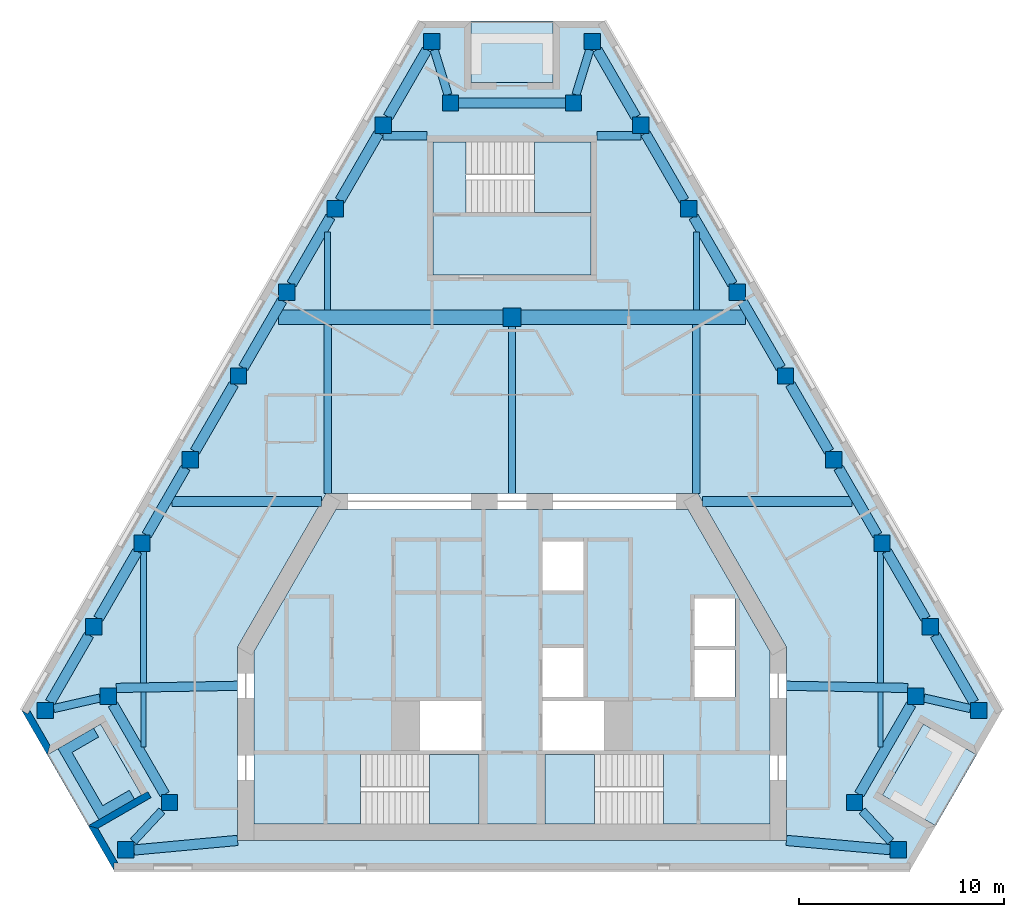
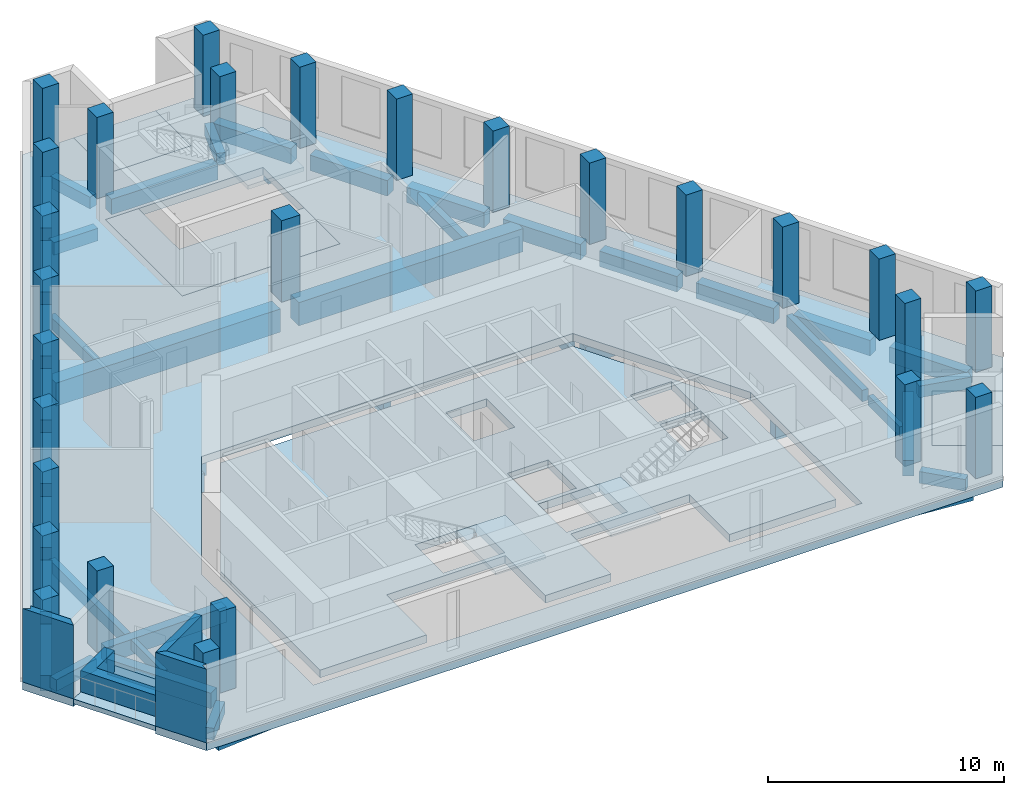
# One storey, part 1 of 8: 44 beams, 27 columns, 9 slabs, 4 walls, 3 elements without a shape of their own.
"""IFC4 building model written with IfcOpenShell, lengths in metres."""

from ifc_helpers import new_model, si_unit, direction, frame, origin, origin_2d, place, context, subcontext, project, spatial, polyline, rectangle, outline, extrude, material, layer, layer_set, material_profile, profile_set, type_object, element, aggregate, save


model = new_model("IFC4")

# Units and contexts
model_context = context("Model", 3, precision=1e-05, world=origin(), true_north=direction((0.0, 1.0)))
body_context = subcontext(model_context, "Body", "Model", "MODEL_VIEW")
ifc_project = project(units=[si_unit("LENGTHUNIT", "METRE"), si_unit("AREAUNIT", "SQUARE_METRE"), si_unit("VOLUMEUNIT", "CUBIC_METRE"), si_unit("PLANEANGLEUNIT", "RADIAN"), si_unit("MASSUNIT", "GRAM", prefix="KILO")], contexts=[model_context])

# Site, building, storey
site_placement = place(None, origin())
site = spatial("IfcSite", under=ifc_project, at=site_placement, CompositionType="ELEMENT")
building_placement = place(site_placement, origin())
building = spatial("IfcBuilding", under=site, at=building_placement, Name="Fogline Exchange Tower", CompositionType="ELEMENT")
storey_placement = place(building_placement, frame((0.0, 0.0, 335.10009765625)))
storey = spatial("IfcBuildingStorey", under=building, at=storey_placement, Name="L76", CompositionType="ELEMENT", Elevation=335.10009765625)

# Columns
ifc_material_1 = material(Name="Concrete C60", Category="concrete")
ifc_material_profile_1 = material_profile(ifc_material_1, rectangle(XDim=0.89990234375, YDim=0.89990234375, at=origin_2d()), Name="RC 900x900")
ifc_profile_set_1 = profile_set([ifc_material_profile_1], Name="Concrete C60")
column_type_1 = type_object("IfcColumnType", Name="C06", PredefinedType="COLUMN", material=ifc_profile_set_1)
column_placement = place(storey_placement, frame((0.0, 27.0, 0.0), z_axis=(0.0, 0.0, 1.0), x_axis=(1.0, 0.0, 0.0)))
element("IfcColumn", 1, at=column_placement, inside=storey, type_object=column_type_1, Name="IC-0-27", PredefinedType="COLUMN", context=body_context, shape_type="SweptSolid", body=[
    extrude(rectangle(XDim=0.89990234375, YDim=0.89990234375, at=origin_2d()), origin(), (0.0, 0.0, 1.0), 4.199951171875),
])
ifc_material_profile_2 = material_profile(ifc_material_1, rectangle(XDim=0.800048828125, YDim=0.800048828125, at=origin_2d()), Name="RC 800x800")
ifc_profile_set_2 = profile_set([ifc_material_profile_2], Name="Concrete C60")
column_type_2 = type_object("IfcColumnType", Name="C07", PredefinedType="COLUMN", material=ifc_profile_set_2)
for number, where, z_axis, x_axis, name in (
    (2, (-22.7802734375, 7.794189453125, 0.0), (0.0, 0.0, 1.0), (1.0, 0.0, 0.0), "SW-a"),
    (3, (-19.720947265625, 8.4951171875, 0.0), (0.0, 0.0, 1.0), (1.0, 0.0, 0.0), "SW-p4"),
    (4, (-16.720947265625, 3.299072265625, 0.0), (0.0, 0.0, 1.0), (1.0, 0.0, 0.0), "SW-p3"),
    (5, (-18.857666015625, 1.0, 0.0), (0.0, 0.0, 1.0), (1.0, 0.0, 0.0), "SW-b"),
    (6, (18.857666015625, 1.0, 0.0), (0.0, 0.0, 1.0), (1.0, 0.0, 0.0), "SE-a"),
    (7, (16.720947265625, 3.299072265625, 0.0), (0.0, 0.0, 1.0), (1.0, 0.0, 0.0), "SE-p4"),
    (8, (19.720947265625, 8.4951171875, 0.0), (0.0, 0.0, 1.0), (1.0, 0.0, 0.0), "SE-p3"),
    (9, (22.7802734375, 7.794189453125, 0.0), (0.0, 0.0, 1.0), (1.0, 0.0, 0.0), "SE-b"),
    (10, (20.423095703125, 11.876953125, 0.0), (0.0, 0.0, 1.0), (1.0, 0.0, 0.0), "E1"),
    (11, (18.06591796875, 15.959716796875, 0.0), (0.0, 0.0, 1.0), (1.0, 0.0, 0.0), "E2"),
    (12, (15.708740234375, 20.04248046875, 0.0), (0.0, 0.0, 1.0), (1.0, 0.0, 0.0), "E3"),
    (13, (13.3515625, 24.12548828125, 0.0), (0.0, 0.0, 1.0), (1.0, 0.0, 0.0), "E4"),
    (14, (10.994384765625, 28.208251953125, 0.0), (0.0, 0.0, 1.0), (1.0, 0.0, 0.0), "E5"),
    (15, (8.63720703125, 32.291015625, 0.0), (0.0, 0.0, 1.0), (1.0, 0.0, 0.0), "E6"),
    (16, (6.27978515625, 36.373779296875, 0.0), (0.0, 0.0, 1.0), (1.0, 0.0, 0.0), "E7"),
    (17, (3.922607421875, 40.456787109375, 0.0), (0.0, 0.0, 1.0), (1.0, 0.0, 0.0), "N-a"),
    (18, (3.0, 37.456787109375, 0.0), (0.0, 0.0, 1.0), (1.0, 0.0, 0.0), "N-p4"),
    (19, (-3.0, 37.456787109375, 0.0), (0.0, 0.0, 1.0), (1.0, 0.0, 0.0), "N-p3"),
    (20, (-3.922607421875, 40.456787109375, 0.0), (0.0, 0.0, 1.0), (1.0, 0.0, 0.0), "N-b"),
    (21, (-6.27978515625, 36.373779296875, 0.0), (0.0, 0.0, 1.0), (1.0, 0.0, 0.0), "W1"),
    (22, (-8.63720703125, 32.291015625, 0.0), (0.0, 0.0, 1.0), (1.0, 0.0, 0.0), "W2"),
    (23, (-10.994384765625, 28.208251953125, 0.0), (0.0, 0.0, 1.0), (1.0, 0.0, 0.0), "W3"),
    (24, (-13.3515625, 24.12548828125, 0.0), (0.0, 0.0, 1.0), (1.0, 0.0, 0.0), "W4"),
    (25, (-15.708740234375, 20.04248046875, 0.0), (0.0, 0.0, 1.0), (1.0, 0.0, 0.0), "W5"),
    (26, (-18.06591796875, 15.959716796875, 0.0), (0.0, 0.0, 1.0), (1.0, 0.0, 0.0), "W6"),
    (27, (-20.423095703125, 11.876953125, 0.0), (0.0, 0.0, 1.0), (1.0, 0.0, 0.0), "W7"),
):
    element("IfcColumn", number, at=place(storey_placement, frame(where, z_axis=z_axis, x_axis=x_axis)), inside=storey, type_object=column_type_2, Name=name, PredefinedType="COLUMN", context=body_context, shape_type="SweptSolid", body=[
        extrude(rectangle(XDim=0.800048828125, YDim=0.800048828125, at=origin_2d()), origin(), (0.0, 0.0, 1.0), 4.199951171875),
    ])

# Beams
ifc_material_2 = material(Name="Concrete C40", Category="concrete")
ifc_material_profile_3 = material_profile(ifc_material_2, rectangle(XDim=0.300048828125, YDim=0.60009765625, at=origin_2d()), Name="RC 300x600")
ifc_profile_set_3 = profile_set([ifc_material_profile_3], Name="Concrete C40")
beam_type_1 = type_object("IfcBeamType", Name="B06", PredefinedType="BEAM", material=ifc_profile_set_3)
beam_1_placement = place(storey_placement, frame((-18.0, 9.1435546875, -0.7001953125), z_axis=(0.0, 1.0, 0.0), x_axis=(-1.0, 0.0, 0.0)))
element("IfcBeam", 28, at=beam_1_placement, inside=storey, type_object=beam_type_1, Name="SB002", PredefinedType="BEAM", context=body_context, shape_type="SweptSolid", body=[
    extrude(rectangle(XDim=0.300048828125, YDim=0.60009765625, at=origin_2d()), origin(), (0.0, 0.0, 1.0), 6.416259765625),
])
for number, where, z_axis, x_axis, name in (
    (29, (-9.0, 27.35009765625, -0.7001953125), (0.0, 1.0, 0.0), (-1.0, 0.0, 0.0), "SB004"),
    (30, (9.0, 27.35009765625, -0.7001953125), (0.0, 1.0, 0.0), (-1.0, 0.0, 0.0), "SB007"),
):
    element("IfcBeam", number, at=place(storey_placement, frame(where, z_axis=z_axis, x_axis=x_axis)), inside=storey, type_object=beam_type_1, Name=name, PredefinedType="BEAM", context=body_context, shape_type="SweptSolid", body=[
        extrude(rectangle(XDim=0.300048828125, YDim=0.60009765625, at=origin_2d()), origin(), (0.0, 0.0, 1.0), 3.812255859375),
    ])
beam_2_placement = place(storey_placement, frame((18.0, 9.1435546875, -0.7001953125), z_axis=(0.0, 1.0, 0.0), x_axis=(-1.0, 0.0, 0.0)))
element("IfcBeam", 31, at=beam_2_placement, inside=storey, type_object=beam_type_1, Name="SB009", PredefinedType="BEAM", context=body_context, shape_type="SweptSolid", body=[
    extrude(rectangle(XDim=0.300048828125, YDim=0.60009765625, at=origin_2d()), origin(), (0.0, 0.0, 1.0), 6.416259765625),
])
ifc_material_profile_4 = material_profile(ifc_material_2, rectangle(XDim=0.25, YDim=0.5, at=origin_2d()), Name="RC 250x500")
ifc_profile_set_4 = profile_set([ifc_material_profile_4], Name="Concrete C40")
beam_type_2 = type_object("IfcBeamType", Name="B08", PredefinedType="BEAM", material=ifc_profile_set_4)
for number, where, z_axis, x_axis, name in (
    (32, (-18.0, 6.014404296875, -0.650146484375), (0.0, 1.0, 0.0), (-1.0, 0.0, 0.0), "SB001"),
    (33, (18.0, 6.014404296875, -0.650146484375), (0.0, 1.0, 0.0), (-1.0, 0.0, 0.0), "SB008"),
):
    element("IfcBeam", number, at=place(storey_placement, frame(where, z_axis=z_axis, x_axis=x_axis)), inside=storey, type_object=beam_type_2, Name=name, PredefinedType="BEAM", context=body_context, shape_type="SweptSolid", body=[
        extrude(rectangle(XDim=0.25, YDim=0.5, at=origin_2d()), origin(), (0.0, 0.0, 1.0), 2.67919921875),
    ])
ifc_material_profile_5 = material_profile(ifc_material_2, rectangle(XDim=0.5, YDim=0.800048828125, at=origin_2d()), Name="RC 500x800")
ifc_profile_set_5 = profile_set([ifc_material_profile_5], Name="Concrete C40")
beam_type_3 = type_object("IfcBeamType", Name="B10", PredefinedType="BEAM", material=ifc_profile_set_5)
beam_3_placement = place(storey_placement, frame((-19.489990234375, 8.09521484375, -0.800048828125), z_axis=(0.499987508774, -0.866032615477, 0.0), x_axis=(0.866032615477, 0.499987508774, 0.0)))
element("IfcBeam", 34, at=beam_3_placement, inside=storey, type_object=beam_type_3, Name="RB002", PredefinedType="BEAM", context=body_context, shape_type="SweptSolid", body=[
    extrude(rectangle(XDim=0.5, YDim=0.800048828125, at=origin_2d()), origin(), (0.0, 0.0, 1.0), 5.076416015625),
])
beam_4_placement = place(storey_placement, frame((-18.457763671875, 0.981689453125, -0.800048828125), z_axis=(0.995741736268, 0.092186737952, 0.0), x_axis=(-0.092186737952, 0.995741736268, 0.0)))
element("IfcBeam", 35, at=beam_4_placement, inside=storey, type_object=beam_type_3, Name="RB004", PredefinedType="BEAM", context=body_context, shape_type="SweptSolid", body=[
    extrude(rectangle(XDim=0.5, YDim=0.800048828125, at=origin_2d()), origin(), (0.0, 0.0, 1.0), 5.07958984375),
])
beam_5_placement = place(storey_placement, frame((13.39990234375, 1.449951171875, -0.800048828125), z_axis=(0.996066324908, -0.088610814153, 0.0), x_axis=(0.088610814153, 0.996066324908, 0.0)))
element("IfcBeam", 36, at=beam_5_placement, inside=storey, type_object=beam_type_3, Name="RB005", PredefinedType="BEAM", context=body_context, shape_type="SweptSolid", body=[
    extrude(rectangle(XDim=0.5, YDim=0.800048828125, at=origin_2d()), origin(), (0.0, 0.0, 1.0), 5.077880859375),
])
beam_6_placement = place(storey_placement, frame((16.951904296875, 3.698974609375, -0.800048828125), z_axis=(0.499987508774, 0.866032615477, 0.0), x_axis=(-0.866032615477, 0.499987508774, 0.0)))
element("IfcBeam", 37, at=beam_6_placement, inside=storey, type_object=beam_type_3, Name="RB007", PredefinedType="BEAM", context=body_context, shape_type="SweptSolid", body=[
    extrude(rectangle(XDim=0.5, YDim=0.800048828125, at=origin_2d()), origin(), (0.0, 0.0, 1.0), 5.076416015625),
])
beam_7_placement = place(storey_placement, frame((22.54931640625, 8.194091796875, -0.800048828125), z_axis=(-0.499969613651, 0.86604294664, 0.0), x_axis=(-0.86604294664, -0.499969613651, 0.0)))
element("IfcBeam", 38, at=beam_7_placement, inside=storey, type_object=beam_type_3, Name="RB009", PredefinedType="BEAM", context=body_context, shape_type="SweptSolid", body=[
    extrude(rectangle(XDim=0.5, YDim=0.800048828125, at=origin_2d()), origin(), (0.0, 0.0, 1.0), 3.790771484375),
])
for number, where, z_axis, x_axis, name in (
    (39, (20.192138671875, 12.277099609375, -0.800048828125), (-0.499997501644, 0.866026846206, 0.0), (-0.866026846206, -0.499997501644, 0.0), "RB010"),
    (40, (17.8349609375, 16.35986328125, -0.800048828125), (-0.499997501644, 0.866026846206, 0.0), (-0.866026846206, -0.499997501644, 0.0), "RB011"),
    (41, (15.477783203125, 20.442626953125, -0.800048828125), (-0.499997501644, 0.866026846206, 0.0), (-0.866026846206, -0.499997501644, 0.0), "RB012"),
):
    element("IfcBeam", number, at=place(storey_placement, frame(where, z_axis=z_axis, x_axis=x_axis)), inside=storey, type_object=beam_type_3, Name=name, PredefinedType="BEAM", context=body_context, shape_type="SweptSolid", body=[
        extrude(rectangle(XDim=0.5, YDim=0.800048828125, at=origin_2d()), origin(), (0.0, 0.0, 1.0), 3.79052734375),
    ])
for number, where, z_axis, x_axis, name in (
    (42, (13.12060546875, 24.525390625, -0.800048828125), (-0.500045805297, 0.865998956469, 0.0), (-0.865998956469, -0.500045805297, 0.0), "RB013"),
    (43, (10.76318359375, 28.608154296875, -0.800048828125), (-0.499969613651, 0.86604294664, 0.0), (-0.86604294664, -0.499969613651, 0.0), "RB014"),
    (44, (8.406005859375, 32.69091796875, -0.800048828125), (-0.499969613651, 0.86604294664, 0.0), (-0.86604294664, -0.499969613651, 0.0), "RB015"),
    (45, (6.048828125, 36.773681640625, -0.800048828125), (-0.499969613651, 0.86604294664, 0.0), (-0.86604294664, -0.499969613651, 0.0), "RB016"),
):
    element("IfcBeam", number, at=place(storey_placement, frame(where, z_axis=z_axis, x_axis=x_axis)), inside=storey, type_object=beam_type_3, Name=name, PredefinedType="BEAM", context=body_context, shape_type="SweptSolid", body=[
        extrude(rectangle(XDim=0.5, YDim=0.800048828125, at=origin_2d()), origin(), (0.0, 0.0, 1.0), 3.790771484375),
    ])
beam_8_placement = place(storey_placement, frame((2.60009765625, 37.456787109375, -0.800048828125), z_axis=(-1.0, 0.0, 0.0), x_axis=(0.0, -1.0, 0.0)))
element("IfcBeam", 46, at=beam_8_placement, inside=storey, type_object=beam_type_3, Name="RB018", PredefinedType="BEAM", context=body_context, shape_type="SweptSolid", body=[
    extrude(rectangle(XDim=0.5, YDim=0.800048828125, at=origin_2d()), origin(), (0.0, 0.0, 1.0), 5.2001953125),
])
for number, where, z_axis, x_axis, name in (
    (47, (-4.153564453125, 40.056640625, -0.800048828125), (-0.499969613651, -0.86604294664, 0.0), (0.86604294664, -0.499969613651, 0.0), "RB020"),
    (48, (-6.5107421875, 35.973876953125, -0.800048828125), (-0.499969613651, -0.86604294664, 0.0), (0.86604294664, -0.499969613651, 0.0), "RB021"),
    (49, (-8.867919921875, 31.89111328125, -0.800048828125), (-0.499969613651, -0.86604294664, 0.0), (0.86604294664, -0.499969613651, 0.0), "RB022"),
    (50, (-11.22509765625, 27.80810546875, -0.800048828125), (-0.500045805297, -0.865998956469, 0.0), (0.865998956469, -0.500045805297, 0.0), "RB023"),
):
    element("IfcBeam", number, at=place(storey_placement, frame(where, z_axis=z_axis, x_axis=x_axis)), inside=storey, type_object=beam_type_3, Name=name, PredefinedType="BEAM", context=body_context, shape_type="SweptSolid", body=[
        extrude(rectangle(XDim=0.5, YDim=0.800048828125, at=origin_2d()), origin(), (0.0, 0.0, 1.0), 3.790771484375),
    ])
for number, where, z_axis, x_axis, name in (
    (51, (-13.58251953125, 23.725341796875, -0.800048828125), (-0.499997501644, -0.866026846206, 0.0), (0.866026846206, -0.499997501644, 0.0), "RB024"),
    (52, (-15.939697265625, 19.642578125, -0.800048828125), (-0.499997501644, -0.866026846206, 0.0), (0.866026846206, -0.499997501644, 0.0), "RB025"),
    (53, (-18.296875, 15.559814453125, -0.800048828125), (-0.499997501644, -0.866026846206, 0.0), (0.866026846206, -0.499997501644, 0.0), "RB026"),
):
    element("IfcBeam", number, at=place(storey_placement, frame(where, z_axis=z_axis, x_axis=x_axis)), inside=storey, type_object=beam_type_3, Name=name, PredefinedType="BEAM", context=body_context, shape_type="SweptSolid", body=[
        extrude(rectangle(XDim=0.5, YDim=0.800048828125, at=origin_2d()), origin(), (0.0, 0.0, 1.0), 3.79052734375),
    ])
beam_9_placement = place(storey_placement, frame((-20.654052734375, 11.47705078125, -0.800048828125), z_axis=(-0.499969613651, -0.86604294664, 0.0), x_axis=(0.86604294664, -0.499969613651, 0.0)))
element("IfcBeam", 54, at=beam_9_placement, inside=storey, type_object=beam_type_3, Name="RB027", PredefinedType="BEAM", context=body_context, shape_type="SweptSolid", body=[
    extrude(rectangle(XDim=0.5, YDim=0.800048828125, at=origin_2d()), origin(), (0.0, 0.0, 1.0), 3.790771484375),
])
ifc_material_profile_6 = material_profile(ifc_material_2, rectangle(XDim=0.39990234375, YDim=0.60009765625, at=origin_2d()), Name="RC 400x600")
ifc_profile_set_6 = profile_set([ifc_material_profile_6], Name="Concrete C40")
beam_type_4 = type_object("IfcBeamType", Name="B11", PredefinedType="BEAM", material=ifc_profile_set_6)
beam_10_placement = place(storey_placement, frame((-22.38037109375, 7.885986328125, -0.7001953125), z_axis=(0.974753812703, 0.223282342834, 0.0), x_axis=(-0.223282342834, 0.974753812703, 0.0)))
element("IfcBeam", 55, at=beam_10_placement, inside=storey, type_object=beam_type_4, Name="RB001", PredefinedType="BEAM", context=body_context, shape_type="SweptSolid", body=[
    extrude(rectangle(XDim=0.39990234375, YDim=0.60009765625, at=origin_2d()), origin(), (0.0, 0.0, 1.0), 2.318115234375),
])
for number, where, z_axis, x_axis, name in (
    (56, (-17.0927734375, 2.89892578125, -0.7001953125), (-0.680743909802, -0.732521487239, 0.0), (0.732521487239, -0.680743909802, 0.0), "RB003"),
    (57, (18.48583984375, 1.39990234375, -0.7001953125), (-0.680743909802, 0.732521487239, 0.0), (-0.732521487239, -0.680743909802, 0.0), "RB006"),
):
    element("IfcBeam", number, at=place(storey_placement, frame(where, z_axis=z_axis, x_axis=x_axis)), inside=storey, type_object=beam_type_4, Name=name, PredefinedType="BEAM", context=body_context, shape_type="SweptSolid", body=[
        extrude(rectangle(XDim=0.39990234375, YDim=0.60009765625, at=origin_2d()), origin(), (0.0, 0.0, 1.0), 2.04638671875),
    ])
beam_11_placement = place(storey_placement, frame((20.120849609375, 8.403564453125, -0.7001953125), z_axis=(0.974753812703, -0.223282342834, 0.0), x_axis=(0.223282342834, 0.974753812703, 0.0)))
element("IfcBeam", 58, at=beam_11_placement, inside=storey, type_object=beam_type_4, Name="RB008", PredefinedType="BEAM", context=body_context, shape_type="SweptSolid", body=[
    extrude(rectangle(XDim=0.39990234375, YDim=0.60009765625, at=origin_2d()), origin(), (0.0, 0.0, 1.0), 2.318115234375),
])
for number, where, z_axis, x_axis, name in (
    (59, (3.799560546875, 40.056640625, -0.7001953125), (-0.293929314998, -0.955827158949, 0.0), (0.955827158949, -0.293929314998, 0.0), "RB017"),
    (60, (-3.123046875, 37.856689453125, -0.7001953125), (-0.293929314998, 0.955827158949, 0.0), (-0.955827158949, -0.293929314998, 0.0), "RB019"),
):
    element("IfcBeam", number, at=place(storey_placement, frame(where, z_axis=z_axis, x_axis=x_axis)), inside=storey, type_object=beam_type_4, Name=name, PredefinedType="BEAM", context=body_context, shape_type="SweptSolid", body=[
        extrude(rectangle(XDim=0.39990234375, YDim=0.60009765625, at=origin_2d()), origin(), (0.0, 0.0, 1.0), 2.301513671875),
    ])
ifc_material_profile_7 = material_profile(ifc_material_2, rectangle(XDim=0.39990234375, YDim=0.64990234375, at=origin_2d()), Name="RC 400x650")
ifc_profile_set_7 = profile_set([ifc_material_profile_7], Name="Concrete C40")
beam_type_5 = type_object("IfcBeamType", Name="B13", PredefinedType="BEAM", material=ifc_profile_set_7)
for number, where, z_axis, x_axis, name in (
    (61, (-6.308349609375, 35.85693359375, -0.72509765625), (1.0, 0.0, 0.0), (0.0, 1.0, 0.0), "GB007"),
    (62, (4.14990234375, 35.85693359375, -0.72509765625), (1.0, 0.0, 0.0), (0.0, 1.0, 0.0), "GB008"),
):
    element("IfcBeam", number, at=place(storey_placement, frame(where, z_axis=z_axis, x_axis=x_axis)), inside=storey, type_object=beam_type_5, Name=name, PredefinedType="BEAM", context=body_context, shape_type="SweptSolid", body=[
        extrude(rectangle(XDim=0.39990234375, YDim=0.64990234375, at=origin_2d()), origin(), (0.0, 0.0, 1.0), 2.158447265625),
    ])
ifc_material_profile_8 = material_profile(ifc_material_2, rectangle(XDim=0.5, YDim=0.949951171875, at=origin_2d()), Name="RC 500x950")
ifc_profile_set_8 = profile_set([ifc_material_profile_8], Name="Concrete C40")
beam_type_6 = type_object("IfcBeamType", Name="B14", PredefinedType="BEAM", material=ifc_profile_set_8)
for number, where, z_axis, x_axis, name in (
    (63, (-16.599365234375, 18.0, -0.875), (1.0, 0.0, 0.0), (0.0, 1.0, 0.0), "GB003"),
    (64, (9.296142578125, 18.0, -0.875), (1.0, 0.0, 0.0), (0.0, 1.0, 0.0), "GB004"),
):
    element("IfcBeam", number, at=place(storey_placement, frame(where, z_axis=z_axis, x_axis=x_axis)), inside=storey, type_object=beam_type_6, Name=name, PredefinedType="BEAM", context=body_context, shape_type="SweptSolid", body=[
        extrude(rectangle(XDim=0.5, YDim=0.949951171875, at=origin_2d()), origin(), (0.0, 0.0, 1.0), 7.30322265625),
    ])
ifc_material_profile_9 = material_profile(ifc_material_2, rectangle(XDim=0.35009765625, YDim=0.64990234375, at=origin_2d()), Name="RC 350x650")
ifc_profile_set_9 = profile_set([ifc_material_profile_9], Name="Concrete C40")
beam_type_7 = type_object("IfcBeamType", Name="B16", PredefinedType="BEAM", material=ifc_profile_set_9)
beam_12_placement = place(storey_placement, frame((-9.0, 18.39990234375, -0.72509765625), z_axis=(0.0, 1.0, 0.0), x_axis=(-1.0, 0.0, 0.0)))
element("IfcBeam", 65, at=beam_12_placement, inside=storey, type_object=beam_type_7, Name="SB003", PredefinedType="BEAM", context=body_context, shape_type="SweptSolid", body=[
    extrude(rectangle(XDim=0.35009765625, YDim=0.64990234375, at=origin_2d()), origin(), (0.0, 0.0, 1.0), 8.25),
])
beam_13_placement = place(storey_placement, frame((0.0, 18.39990234375, -0.72509765625), z_axis=(0.0, 1.0, 0.0), x_axis=(-1.0, 0.0, 0.0)))
element("IfcBeam", 66, at=beam_13_placement, inside=storey, type_object=beam_type_7, Name="SB005", PredefinedType="BEAM", context=body_context, shape_type="SweptSolid", body=[
    extrude(rectangle(XDim=0.35009765625, YDim=0.64990234375, at=origin_2d()), origin(), (0.0, 0.0, 1.0), 8.150146484375),
])
beam_14_placement = place(storey_placement, frame((9.0, 18.39990234375, -0.72509765625), z_axis=(0.0, 1.0, 0.0), x_axis=(-1.0, 0.0, 0.0)))
element("IfcBeam", 67, at=beam_14_placement, inside=storey, type_object=beam_type_7, Name="SB006", PredefinedType="BEAM", context=body_context, shape_type="SweptSolid", body=[
    extrude(rectangle(XDim=0.35009765625, YDim=0.64990234375, at=origin_2d()), origin(), (0.0, 0.0, 1.0), 8.25),
])
ifc_material_profile_10 = material_profile(ifc_material_2, rectangle(XDim=0.699951171875, YDim=1.199951171875, at=origin_2d()), Name="RC 700x1200")
ifc_profile_set_10 = profile_set([ifc_material_profile_10], Name="Concrete C40")
beam_type_8 = type_object("IfcBeamType", Name="B17", PredefinedType="BEAM", material=ifc_profile_set_10)
for number, where, z_axis, x_axis, name in (
    (68, (-11.4033203125, 27.0, -1.0), (1.0, 0.0, 0.0), (0.0, 1.0, 0.0), "GB005"),
    (69, (0.449951171875, 27.0, -1.0), (1.0, 0.0, 0.0), (0.0, 1.0, 0.0), "GB006"),
):
    element("IfcBeam", number, at=place(storey_placement, frame(where, z_axis=z_axis, x_axis=x_axis)), inside=storey, type_object=beam_type_8, Name=name, PredefinedType="BEAM", context=body_context, shape_type="SweptSolid", body=[
        extrude(rectangle(XDim=0.699951171875, YDim=1.199951171875, at=origin_2d()), origin(), (0.0, 0.0, 1.0), 10.953369140625),
    ])
ifc_material_profile_11 = material_profile(ifc_material_2, rectangle(XDim=0.449951171875, YDim=0.800048828125, at=origin_2d()), Name="RC 450x800")
ifc_profile_set_11 = profile_set([ifc_material_profile_11], Name="Concrete C40")
beam_type_9 = type_object("IfcBeamType", Name="B18", PredefinedType="BEAM", material=ifc_profile_set_11)
for number, where, z_axis, x_axis, name in (
    (70, (-19.32080078125, 8.895263671875, -0.800048828125), (0.9998435817, 0.017686495817, 0.0), (-0.017686495817, 0.9998435817, 0.0), "GB001"),
    (71, (13.39990234375, 9.0, -0.800048828125), (0.9998435817, -0.017686495817, 0.0), (0.017686495817, 0.9998435817, 0.0), "GB002"),
):
    element("IfcBeam", number, at=place(storey_placement, frame(where, z_axis=z_axis, x_axis=x_axis)), inside=storey, type_object=beam_type_9, Name=name, PredefinedType="BEAM", context=body_context, shape_type="SweptSolid", body=[
        extrude(rectangle(XDim=0.449951171875, YDim=0.800048828125, at=origin_2d()), origin(), (0.0, 0.0, 1.0), 5.921875),
    ])

# Slabs
ifc_layer_1 = layer(ifc_material_2, 0.25)
ifc_layer_set_1 = layer_set([ifc_layer_1], Name="DK1")
slab_type_1 = type_object("IfcSlabType", Name="DK1", PredefinedType="FLOOR", material=ifc_layer_set_1)
slab_1_placement = place(storey_placement, frame((0.0, 0.0, -0.25)))
element("IfcSlab", 72, at=slab_1_placement, inside=storey, type_object=slab_type_1, Name="Balcony L76 SW", PredefinedType="FLOOR", context=body_context, shape_type="SweptSolid", body=[
    extrude(outline(polyline([(-22.68505859375, 5.629150390625), (-20.68505859375, 2.1650390625), (-18.0869140625, 3.6650390625), (-20.0869140625, 7.129150390625), (-22.68505859375, 5.629150390625)])), origin(), (0.0, 0.0, 1.0), 0.25),
])
slab_2_placement = place(storey_placement, frame((0.0, 0.0, -0.25)))
element("IfcSlab", 73, at=slab_2_placement, inside=storey, type_object=slab_type_1, Name="Balcony L76 SE", PredefinedType="FLOOR", context=body_context, shape_type="SweptSolid", body=[
    extrude(outline(polyline([(20.68505859375, 2.1650390625), (22.68505859375, 5.629150390625), (20.0869140625, 7.129150390625), (18.0869140625, 3.6650390625), (20.68505859375, 2.1650390625)])), origin(), (0.0, 0.0, 1.0), 0.25),
])
slab_3_placement = place(storey_placement, frame((0.0, 0.0, -0.25)))
element("IfcSlab", 74, at=slab_3_placement, inside=storey, type_object=slab_type_1, Name="Balcony L76 N", PredefinedType="FLOOR", context=body_context, shape_type="SweptSolid", body=[
    extrude(outline(polyline([(2.0, 41.456787109375), (-2.0, 41.456787109375), (-2.0, 38.456787109375), (2.0, 38.456787109375), (2.0, 41.456787109375)])), origin(), (0.0, 0.0, 1.0), 0.25),
])
ifc_layer_2 = layer(ifc_material_2, 0.39990234375)
ifc_layer_set_2 = layer_set([ifc_layer_2], Name="S03")
slab_type_2 = type_object("IfcSlabType", Name="S03", PredefinedType="FLOOR", material=ifc_layer_set_2)
slab_4_placement = place(storey_placement, frame((0.0, 0.0, -0.400146484375)))
element("IfcSlab", 75, at=slab_4_placement, inside=storey, type_object=slab_type_2, Name="SLAB L76", PredefinedType="FLOOR", context=body_context, shape_type="SweptSolid", body=[
    extrude(outline(polyline([(-2.0, 41.456787109375), (-4.5, 41.456787109375), (-23.93505859375, 7.794189453125), (-22.68505859375, 5.629150390625), (-20.0869140625, 7.129150390625), (-18.0869140625, 3.6650390625), (-20.68505859375, 2.1650390625), (-19.43505859375, 0.0), (19.43505859375, 0.0), (20.68505859375, 2.1650390625), (18.0869140625, 3.6650390625), (20.0869140625, 7.129150390625), (22.68505859375, 5.629150390625), (23.93505859375, 7.794189453125), (4.5, 41.456787109375), (2.0, 41.456787109375), (2.0, 38.456787109375), (-2.0, 38.456787109375), (-2.0, 41.456787109375)]), holes=[polyline([(13.39990234375, 10.891845703125), (13.39990234375, 1.449951171875), (-13.39990234375, 1.449951171875), (-13.39990234375, 10.891845703125), (-9.065185546875, 18.39990234375), (9.065185546875, 18.39990234375), (13.39990234375, 10.891845703125)]), polyline([(3.85009765625, 35.556884765625), (3.85009765625, 29.056884765625), (-3.85009765625, 29.056884765625), (-3.85009765625, 35.556884765625), (3.85009765625, 35.556884765625)])]), origin(), (0.0, 0.0, 1.0), 0.400146484375),
])
slab_5_placement = place(storey_placement, frame((0.0, 0.0, -0.400146484375)))
element("IfcSlab", 76, at=slab_5_placement, inside=storey, type_object=slab_type_2, Name="Core floor slab", PredefinedType="FLOOR", context=body_context, shape_type="SweptSolid", body=[
    extrude(outline(polyline([(-12.60009765625, 2.25), (-12.60009765625, 10.677490234375), (-8.603271484375, 17.60009765625), (8.603271484375, 17.60009765625), (12.60009765625, 10.677490234375), (12.60009765625, 2.25), (7.389892578125, 2.25), (7.389892578125, 5.64990234375), (1.60009765625, 5.64990234375), (1.60009765625, 2.25), (-1.60009765625, 2.25), (-1.60009765625, 5.64990234375), (-7.389892578125, 5.64990234375), (-7.389892578125, 2.25), (-12.60009765625, 2.25)]), holes=[polyline([(-4.5, 8.25), (-4.5, 5.85009765625), (-1.5, 5.85009765625), (-1.5, 8.25), (-4.5, 8.25)]), polyline([(1.5, 8.25), (1.5, 5.85009765625), (4.5, 5.85009765625), (4.5, 8.25), (1.5, 8.25)]), polyline([(8.89990234375, 10.75), (8.89990234375, 8.449951171875), (10.89990234375, 8.449951171875), (10.89990234375, 10.75), (8.89990234375, 10.75)]), polyline([(1.5, 10.85009765625), (1.5, 8.449951171875), (3.5, 8.449951171875), (3.5, 10.85009765625), (1.5, 10.85009765625)]), polyline([(8.89990234375, 13.25), (8.89990234375, 10.949951171875), (10.89990234375, 10.949951171875), (10.89990234375, 13.25), (8.89990234375, 13.25)]), polyline([(1.5, 16.050048828125), (1.5, 13.64990234375), (3.5, 13.64990234375), (3.5, 16.050048828125), (1.5, 16.050048828125)])]), origin(), (0.0, 0.0, 1.0), 0.400146484375),
])
slab_6_placement = place(storey_placement, frame((0.0, 0.0, -0.400146484375)))
element("IfcSlab", 77, at=slab_6_placement, inside=storey, type_object=slab_type_2, Name="Stair enclosure floor slab", PredefinedType="FLOOR", context=body_context, shape_type="SweptSolid", body=[
    extrude(outline(polyline([(3.85009765625, 29.056884765625), (-3.85009765625, 29.056884765625), (-3.85009765625, 35.556884765625), (-2.239990234375, 35.556884765625), (-2.239990234375, 32.10693359375), (3.85009765625, 32.10693359375), (3.85009765625, 29.056884765625)])), origin(), (0.0, 0.0, 1.0), 0.400146484375),
])

# Stair, slab
stair_type = type_object("IfcStairType", Name="STR26-1615", PredefinedType="HALF_TURN_STAIR", material=ifc_material_2)
stair_1_placement = place(storey_placement, origin())
stair_1 = element("IfcStair", 78, at=stair_1_placement, inside=storey, type_object=stair_type, Name="Stair ST1", PredefinedType="HALF_TURN_STAIR")
ifc_layer_3 = layer(ifc_material_2, 0.199951171875)
ifc_layer_set_3 = layer_set([ifc_layer_3], Name="SL200")
slab_type_3 = type_object("IfcSlabType", Name="SL200", PredefinedType="LANDING", material=ifc_layer_set_3)
slab_7_placement = place(storey_placement, frame((0.0, 0.0, 1.89990234375)))
slab_7 = element("IfcSlab", 79, at=slab_7_placement, type_object=slab_type_3, Name="ST1 landing 1", PredefinedType="LANDING", context=body_context, shape_type="SweptSolid", body=[
    extrude(outline(polyline([(-4.0400390625, 2.25), (-1.60009765625, 2.25), (-1.60009765625, 5.64990234375), (-4.0400390625, 5.64990234375), (-4.0400390625, 2.25)])), origin(), (0.0, 0.0, 1.0), 0.199951171875),
])
aggregate(stair_1, [slab_7])

stair_2_placement = place(storey_placement, origin())
stair_2 = element("IfcStair", 80, at=stair_2_placement, inside=storey, type_object=stair_type, Name="Stair ST2", PredefinedType="HALF_TURN_STAIR")
slab_8_placement = place(storey_placement, frame((0.0, 0.0, 1.89990234375)))
slab_8 = element("IfcSlab", 81, at=slab_8_placement, type_object=slab_type_3, Name="ST2 landing 1", PredefinedType="LANDING", context=body_context, shape_type="SweptSolid", body=[
    extrude(outline(polyline([(1.60009765625, 2.25), (4.0400390625, 2.25), (4.0400390625, 5.64990234375), (1.60009765625, 5.64990234375), (1.60009765625, 2.25)])), origin(), (0.0, 0.0, 1.0), 0.199951171875),
])
aggregate(stair_2, [slab_8])

stair_3_placement = place(storey_placement, origin())
stair_3 = element("IfcStair", 82, at=stair_3_placement, inside=storey, type_object=stair_type, Name="Stair ST3", PredefinedType="HALF_TURN_STAIR")
slab_9_placement = place(storey_placement, frame((0.0, 0.0, 1.89990234375)))
slab_9 = element("IfcSlab", 83, at=slab_9_placement, type_object=slab_type_3, Name="ST3 landing 1", PredefinedType="LANDING", context=body_context, shape_type="SweptSolid", body=[
    extrude(outline(polyline([(1.110107421875, 32.10693359375), (3.85009765625, 32.10693359375), (3.85009765625, 35.556884765625), (1.110107421875, 35.556884765625), (1.110107421875, 32.10693359375)])), origin(), (0.0, 0.0, 1.0), 0.199951171875),
])
aggregate(stair_3, [slab_9])

# Walls
ifc_material_3 = material(Name="Brick masonry", Category="masonry")
ifc_layer_4 = layer(ifc_material_3, 0.340087890625)
ifc_layer_set_4 = layer_set([ifc_layer_4], Name="FW1")
wall_type_1 = type_object("IfcWallType", Name="FW1", PredefinedType="SOLIDWALL", material=ifc_layer_set_4)
wall_1_placement = place(storey_placement, origin())
element("IfcWall", 84, at=wall_1_placement, inside=storey, type_object=wall_type_1, Name="Brick wall L76 SW-c1", PredefinedType="SOLIDWALL", context=body_context, shape_type="SweptSolid", body=[
    extrude(outline(polyline([(-22.68505859375, 5.6279296875), (-23.93603515625, 7.794921875), (-23.935546875, 7.79541015625), (-23.640869140625, 7.625), (-23.54248046875, 7.79541015625), (-22.559814453125, 6.09375), (-22.684814453125, 5.6279296875), (-22.68505859375, 5.6279296875)])), origin(), (0.0, 0.0, 1.0), 3.7998046875),
])
wall_2_placement = place(storey_placement, origin())
element("IfcWall", 85, at=wall_2_placement, inside=storey, type_object=wall_type_1, Name="Brick wall L76 SW-s2", PredefinedType="SOLIDWALL", context=body_context, shape_type="SweptSolid", body=[
    extrude(outline(polyline([(-20.686279296875, 2.1650390625), (-18.087158203125, 3.66552734375), (-17.792236328125, 3.8359375), (-17.62158203125, 3.540283203125), (-20.220458984375, 2.0400390625), (-20.686279296875, 2.164794921875), (-20.686279296875, 2.1650390625)])), origin(), (0.0, 0.0, 1.0), 3.7998046875),
])
wall_3_placement = place(storey_placement, origin())
element("IfcWall", 86, at=wall_3_placement, inside=storey, type_object=wall_type_1, Name="Brick wall L76 SW-c2", PredefinedType="SOLIDWALL", context=body_context, shape_type="SweptSolid", body=[
    extrude(outline(polyline([(-19.237548828125, 0.33935546875), (-19.434326171875, 0.33935546875), (-19.434326171875, -0.0009765625), (-19.43505859375, -0.001220703125), (-20.68603515625, 2.165771484375), (-20.685791015625, 2.166015625), (-20.22021484375, 2.041015625), (-19.237548828125, 0.33935546875)])), origin(), (0.0, 0.0, 1.0), 3.7998046875),
])
ifc_material_4 = material(Name="Concrete C30", Category="concrete")
ifc_layer_5 = layer(ifc_material_4, 0.199951171875)
ifc_layer_set_5 = layer_set([ifc_layer_5], Name="PL1")
wall_type_2 = type_object("IfcWallType", Name="PL1", PredefinedType="USERDEFINED", material=ifc_layer_set_5)
wall_4_placement = place(storey_placement, origin())
element("IfcWall", 87, at=wall_4_placement, inside=storey, type_object=wall_type_2, Name="PLANTER balcony L76 SW", ObjectType="PLANTER", PredefinedType="USERDEFINED", context=body_context, shape_type="SweptSolid", body=[
    extrude(outline(polyline([(-18.683349609375, 3.898193359375), (-19.982421875, 3.148193359375), (-21.482421875, 5.74609375), (-20.183349609375, 6.49609375), (-20.433349609375, 6.92919921875), (-22.165283203125, 5.92919921875), (-20.165283203125, 2.465087890625), (-19.732421875, 2.715087890625), (-19.732421875, 2.715087890625), (-18.433349609375, 3.465087890625), (-18.683349609375, 3.898193359375)])), origin(), (0.0, 0.0, 1.0), 1.099853515625),
])

save(model, "model.ifc")
